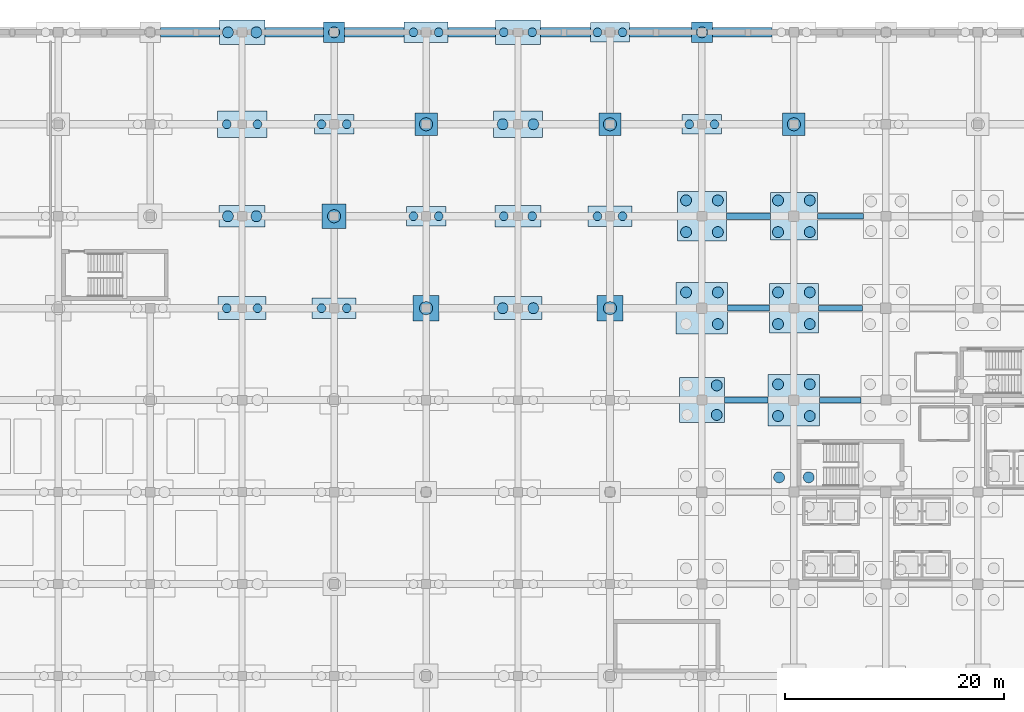
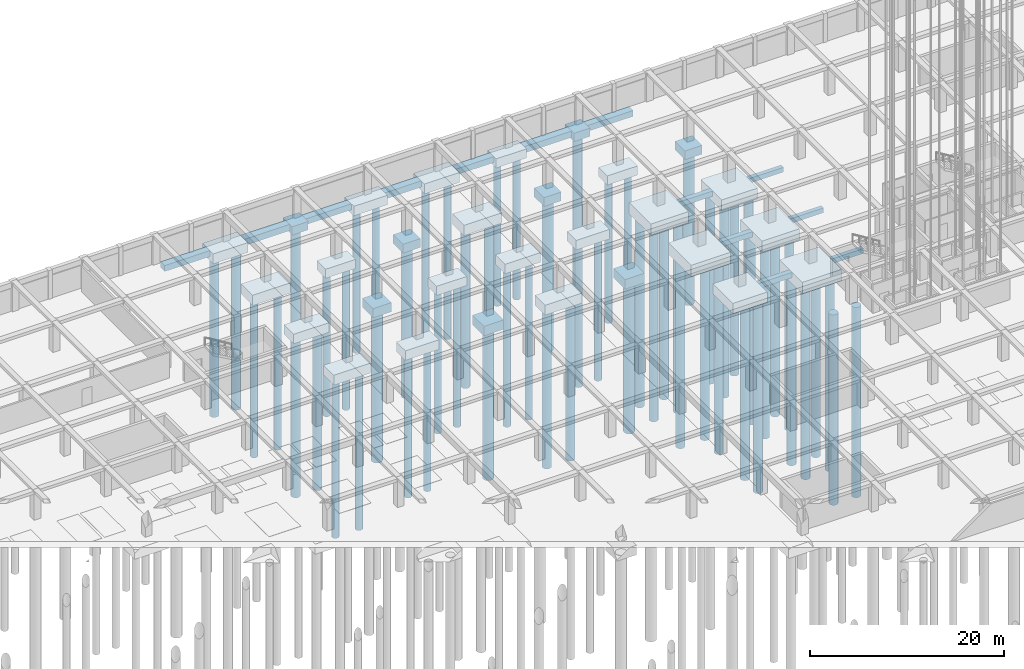
# One storey, part 5 of 47: 61 piles, 42 footings.
"""IFC4 building model written with IfcOpenShell, lengths in metres."""

from ifc_helpers import new_model, si_unit, direction, frame, origin, origin_2d, place, context, subcontext, project, spatial, rectangle, circle, extrude, material, layer, layer_set, material_profile, profile_set, type_object, element, save


model = new_model("IFC4")

# Units and contexts
model_context = context("Model", 3, precision=1e-05, world=origin(), true_north=direction((0.0, 1.0)))
body_context = subcontext(model_context, "Body", "Model", "MODEL_VIEW")
ifc_project = project(units=[si_unit("LENGTHUNIT", "METRE"), si_unit("AREAUNIT", "SQUARE_METRE"), si_unit("VOLUMEUNIT", "CUBIC_METRE"), si_unit("PLANEANGLEUNIT", "RADIAN"), si_unit("MASSUNIT", "GRAM", prefix="KILO")], contexts=[model_context])

# Site, building, storey
site_placement = place(None, origin())
site = spatial("IfcSite", under=ifc_project, at=site_placement, CompositionType="ELEMENT")
building_placement = place(site_placement, origin())
building = spatial("IfcBuilding", under=site, at=building_placement, Name="Almacenes y Pasaje Nevantli", CompositionType="ELEMENT")
storey_placement = place(building_placement, frame((0.0, 0.0, -8.10009765625)))
storey = spatial("IfcBuildingStorey", under=building, at=storey_placement, Name="B02", CompositionType="ELEMENT", Elevation=-8.10009765625)

# Footings
ifc_material_1 = material(Name="Concrete C45/55", Category="concrete")
ifc_layer_1 = layer(ifc_material_1, 0.64990234375)
ifc_layer_set_1 = layer_set([ifc_layer_1], Name="Concrete C45/55")
footing_type_1 = type_object("IfcFootingType", Name="FT-FB-01", PredefinedType="FOOTING_BEAM", material=ifc_layer_set_1)
footing_1_placement = place(storey_placement, frame((113.25, 84.0, -1.14990234375), z_axis=(0.0, 0.0, 1.0), x_axis=(1.0, 0.0, 0.0)))
element("IfcFooting", 1, at=footing_1_placement, inside=storey, type_object=footing_type_1, Name="Continuous Seismic Footing Tie Beam #13", PredefinedType="FOOTING_BEAM", context=body_context, shape_type="SweptSolid", body=[
    extrude(rectangle(XDim=4.0, YDim=0.550048828125, at=origin_2d()), origin(), (0.0, 0.0, 1.0), 0.64990234375),
])
footing_2_placement = place(storey_placement, frame((113.449951171875, 92.39990234375, -1.14990234375), z_axis=(0.0, 0.0, 1.0), x_axis=(1.0, 0.0, 0.0)))
element("IfcFooting", 2, at=footing_2_placement, inside=storey, type_object=footing_type_1, Name="Continuous Seismic Footing Tie Beam #19", PredefinedType="FOOTING_BEAM", context=body_context, shape_type="SweptSolid", body=[
    extrude(rectangle(XDim=3.800048828125, YDim=0.550048828125, at=origin_2d()), origin(), (0.0, 0.0, 1.0), 0.64990234375),
])
footing_3_placement = place(storey_placement, frame((113.449951171875, 100.800048828125, -1.14990234375), z_axis=(0.0, 0.0, 1.0), x_axis=(1.0, 0.0, 0.0)))
element("IfcFooting", 3, at=footing_3_placement, inside=storey, type_object=footing_type_1, Name="Continuous Seismic Footing Tie Beam #25", PredefinedType="FOOTING_BEAM", context=body_context, shape_type="SweptSolid", body=[
    extrude(rectangle(XDim=4.0, YDim=0.550048828125, at=origin_2d()), origin(), (0.0, 0.0, 1.0), 0.64990234375),
])
ifc_material_2 = material(Name="Concrete C45/55", Category="concrete")
ifc_layer_2 = layer(ifc_material_2, 0.60009765625)
ifc_layer_set_2 = layer_set([ifc_layer_2], Name="Concrete C45/55")
footing_type_2 = type_object("IfcFootingType", Name="FT-FB-02", PredefinedType="FOOTING_BEAM", material=ifc_layer_set_2)
footing_4_placement = place(storey_placement, frame((121.85009765625, 84.0, -1.099853515625), z_axis=(0.0, 0.0, 1.0), x_axis=(1.0, 0.0, 0.0)))
element("IfcFooting", 4, at=footing_4_placement, inside=storey, type_object=footing_type_2, Name="Continuous Seismic Footing Tie Beam #14", PredefinedType="FOOTING_BEAM", context=body_context, shape_type="SweptSolid", body=[
    extrude(rectangle(XDim=3.800048828125, YDim=0.5, at=origin_2d()), origin(), (0.0, 0.0, 1.0), 0.60009765625),
])
footing_5_placement = place(storey_placement, frame((121.85009765625, 92.39990234375, -1.099853515625), z_axis=(0.0, 0.0, 1.0), x_axis=(1.0, 0.0, 0.0)))
element("IfcFooting", 5, at=footing_5_placement, inside=storey, type_object=footing_type_2, Name="Continuous Seismic Footing Tie Beam #20", PredefinedType="FOOTING_BEAM", context=body_context, shape_type="SweptSolid", body=[
    extrude(rectangle(XDim=4.0, YDim=0.5, at=origin_2d()), origin(), (0.0, 0.0, 1.0), 0.60009765625),
])
footing_6_placement = place(storey_placement, frame((121.85009765625, 100.800048828125, -1.099853515625), z_axis=(0.0, 0.0, 1.0), x_axis=(1.0, 0.0, 0.0)))
element("IfcFooting", 6, at=footing_6_placement, inside=storey, type_object=footing_type_2, Name="Continuous Seismic Footing Tie Beam #26", PredefinedType="FOOTING_BEAM", context=body_context, shape_type="SweptSolid", body=[
    extrude(rectangle(XDim=4.199951171875, YDim=0.5, at=origin_2d()), origin(), (0.0, 0.0, 1.0), 0.60009765625),
])
ifc_material_3 = material(Name="Concrete C45/55", Category="concrete")
ifc_layer_3 = layer(ifc_material_3, 1.449951171875)
ifc_layer_set_3 = layer_set([ifc_layer_3], Name="Concrete C45/55")
footing_type_3 = type_object("IfcFootingType", Name="FT-PC-01", PredefinedType="PILE_CAP", material=ifc_layer_set_3)
for number, where, z_axis, x_axis, name in (
    (7, (109.199951171875, 92.39990234375, -1.94970703125), (0.0, 0.0, 1.0), (1.0, 0.0, 0.0), "Reinforced Concrete Pile Cap PC-01 #199"),
    (8, (117.60009765625, 84.0, -1.94970703125), (0.0, 0.0, 1.0), (1.0, 0.0, 0.0), "Reinforced Concrete Pile Cap PC-01 #213"),
):
    element("IfcFooting", number, at=place(storey_placement, frame(where, z_axis=z_axis, x_axis=x_axis)), inside=storey, type_object=footing_type_3, Name=name, PredefinedType="PILE_CAP", context=body_context, shape_type="SweptSolid", body=[
        extrude(rectangle(XDim=4.699951171875, YDim=4.699951171875, at=origin_2d()), origin(), (0.0, 0.0, 1.0), 1.449951171875),
    ])
ifc_material_4 = material(Name="Concrete C45/55", Category="concrete")
ifc_layer_4 = layer(ifc_material_4, 1.39990234375)
ifc_layer_set_4 = layer_set([ifc_layer_4], Name="Concrete C45/55")
footing_type_4 = type_object("IfcFootingType", Name="FT-PC-02", PredefinedType="PILE_CAP", material=ifc_layer_set_4)
for number, where, z_axis, x_axis, name in (
    (9, (109.199951171875, 100.800048828125, -1.89990234375), (0.0, 0.0, 1.0), (1.0, 0.0, 0.0), "Reinforced Concrete Pile Cap PC-02 #200"),
    (10, (117.60009765625, 92.39990234375, -1.89990234375), (0.0, 0.0, 1.0), (1.0, 0.0, 0.0), "Reinforced Concrete Pile Cap PC-02 #214"),
):
    element("IfcFooting", number, at=place(storey_placement, frame(where, z_axis=z_axis, x_axis=x_axis)), inside=storey, type_object=footing_type_4, Name=name, PredefinedType="PILE_CAP", context=body_context, shape_type="SweptSolid", body=[
        extrude(rectangle(XDim=4.5, YDim=4.5, at=origin_2d()), origin(), (0.0, 0.0, 1.0), 1.39990234375),
    ])
ifc_material_5 = material(Name="Concrete C45/55", Category="concrete")
ifc_layer_5 = layer(ifc_material_5, 1.35009765625)
ifc_layer_set_5 = layer_set([ifc_layer_5], Name="Concrete C45/55")
footing_type_5 = type_object("IfcFootingType", Name="FT-PC-03", PredefinedType="PILE_CAP", material=ifc_layer_set_5)
footing_7_placement = place(storey_placement, frame((117.60009765625, 100.800048828125, -1.849853515625), z_axis=(0.0, 0.0, 1.0), x_axis=(1.0, 0.0, 0.0)))
element("IfcFooting", 11, at=footing_7_placement, inside=storey, type_object=footing_type_5, Name="Reinforced Concrete Pile Cap PC-03 #215", PredefinedType="PILE_CAP", context=body_context, shape_type="SweptSolid", body=[
    extrude(rectangle(XDim=4.300048828125, YDim=4.300048828125, at=origin_2d()), origin(), (0.0, 0.0, 1.0), 1.35009765625),
])
ifc_material_6 = material(Name="Concrete C45/55", Category="concrete")
ifc_layer_6 = layer(ifc_material_6, 1.300048828125)
ifc_layer_set_6 = layer_set([ifc_layer_6], Name="Concrete C45/55")
footing_type_6 = type_object("IfcFootingType", Name="FT-PC-04", PredefinedType="PILE_CAP", material=ifc_layer_set_6)
footing_8_placement = place(storey_placement, frame((109.199951171875, 84.0, -1.7998046875), z_axis=(0.0, 0.0, 1.0), x_axis=(1.0, 0.0, 0.0)))
element("IfcFooting", 12, at=footing_8_placement, inside=storey, type_object=footing_type_6, Name="Reinforced Concrete Pile Cap PC-04 #198", PredefinedType="PILE_CAP", context=body_context, shape_type="SweptSolid", body=[
    extrude(rectangle(XDim=4.10009765625, YDim=4.10009765625, at=origin_2d()), origin(), (0.0, 0.0, 1.0), 1.300048828125),
])
ifc_material_7 = material(Name="Concrete C45/55", Category="concrete")
ifc_layer_7 = layer(ifc_material_7, 1.25)
ifc_layer_set_7 = layer_set([ifc_layer_7], Name="Concrete C45/55")
footing_type_7 = type_object("IfcFootingType", Name="FT-PC-07", PredefinedType="PILE_CAP", material=ifc_layer_set_7)
for number, where, z_axis, x_axis, name in (
    (13, (67.199951171875, 92.39990234375, -1.75), (0.0, 0.0, 1.0), (1.0, 0.0, 0.0), "Reinforced Concrete Pile Cap PC-07 #124"),
    (14, (92.39990234375, 92.39990234375, -1.75), (0.0, 0.0, 1.0), (1.0, 0.0, 0.0), "Reinforced Concrete Pile Cap PC-07 #169"),
):
    element("IfcFooting", number, at=place(storey_placement, frame(where, z_axis=z_axis, x_axis=x_axis)), inside=storey, type_object=footing_type_7, Name=name, PredefinedType="PILE_CAP", context=body_context, shape_type="SweptSolid", body=[
        extrude(rectangle(XDim=4.39990234375, YDim=2.10009765625, at=origin_2d()), origin(), (0.0, 0.0, 1.0), 1.25),
    ])
ifc_material_8 = material(Name="Concrete C45/55", Category="concrete")
ifc_layer_8 = layer(ifc_material_8, 1.199951171875)
ifc_layer_set_8 = layer_set([ifc_layer_8], Name="Concrete C45/55")
footing_type_8 = type_object("IfcFootingType", Name="FT-PC-08", PredefinedType="PILE_CAP", material=ifc_layer_set_8)
for number, where, z_axis, x_axis, name in (
    (15, (67.199951171875, 100.800048828125, -1.69970703125), (0.0, 0.0, 1.0), (1.0, 0.0, 0.0), "Reinforced Concrete Pile Cap PC-08 #125"),
    (16, (92.39990234375, 100.800048828125, -1.69970703125), (0.0, 0.0, 1.0), (1.0, 0.0, 0.0), "Reinforced Concrete Pile Cap PC-08 #170"),
):
    element("IfcFooting", number, at=place(storey_placement, frame(where, z_axis=z_axis, x_axis=x_axis)), inside=storey, type_object=footing_type_8, Name=name, PredefinedType="PILE_CAP", context=body_context, shape_type="SweptSolid", body=[
        extrude(rectangle(XDim=4.199951171875, YDim=2.0, at=origin_2d()), origin(), (0.0, 0.0, 1.0), 1.199951171875),
    ])
ifc_material_9 = material(Name="Concrete C45/55", Category="concrete")
ifc_layer_9 = layer(ifc_material_9, 1.199951171875)
ifc_layer_set_9 = layer_set([ifc_layer_9], Name="Concrete C45/55")
footing_type_9 = type_object("IfcFootingType", Name="FT-PC-09", PredefinedType="PILE_CAP", material=ifc_layer_set_9)
for number, where, z_axis, x_axis, name in (
    (17, (75.60009765625, 92.39990234375, -1.69970703125), (0.0, 0.0, 1.0), (1.0, 0.0, 0.0), "Reinforced Concrete Pile Cap PC-09 #139"),
    (18, (84.0, 117.60009765625, -1.69970703125), (0.0, 0.0, 1.0), (1.0, 0.0, 0.0), "Reinforced Concrete Pile Cap PC-09 #157"),
    (19, (100.800048828125, 100.800048828125, -1.69970703125), (0.0, 0.0, 1.0), (1.0, 0.0, 0.0), "Reinforced Concrete Pile Cap PC-09 #185"),
):
    element("IfcFooting", number, at=place(storey_placement, frame(where, z_axis=z_axis, x_axis=x_axis)), inside=storey, type_object=footing_type_9, Name=name, PredefinedType="PILE_CAP", context=body_context, shape_type="SweptSolid", body=[
        extrude(rectangle(XDim=4.0, YDim=1.89990234375, at=origin_2d()), origin(), (0.0, 0.0, 1.0), 1.199951171875),
    ])
ifc_material_10 = material(Name="Concrete C45/55", Category="concrete")
ifc_layer_10 = layer(ifc_material_10, 1.14990234375)
ifc_layer_set_10 = layer_set([ifc_layer_10], Name="Concrete C45/55")
footing_type_10 = type_object("IfcFootingType", Name="FT-PC-11", PredefinedType="PILE_CAP", material=ifc_layer_set_10)
for number, where, z_axis, x_axis, name in (
    (20, (75.60009765625, 109.199951171875, -1.64990234375), (0.0, 0.0, 1.0), (1.0, 0.0, 0.0), "Reinforced Concrete Pile Cap PC-11 #141"),
    (21, (84.0, 100.800048828125, -1.64990234375), (0.0, 0.0, 1.0), (1.0, 0.0, 0.0), "Reinforced Concrete Pile Cap PC-11 #155"),
    (22, (100.800048828125, 117.60009765625, -1.64990234375), (0.0, 0.0, 1.0), (1.0, 0.0, 0.0), "Reinforced Concrete Pile Cap PC-11 #187"),
    (23, (109.199951171875, 109.199951171875, -1.64990234375), (0.0, 0.0, 1.0), (1.0, 0.0, 0.0), "Reinforced Concrete Pile Cap PC-11 #201"),
):
    element("IfcFooting", number, at=place(storey_placement, frame(where, z_axis=z_axis, x_axis=x_axis)), inside=storey, type_object=footing_type_10, Name=name, PredefinedType="PILE_CAP", context=body_context, shape_type="SweptSolid", body=[
        extrude(rectangle(XDim=3.60009765625, YDim=1.800048828125, at=origin_2d()), origin(), (0.0, 0.0, 1.0), 1.14990234375),
    ])
ifc_material_11 = material(Name="Concrete C45/55", Category="concrete")
ifc_layer_11 = layer(ifc_material_11, 1.199951171875)
ifc_layer_set_11 = layer_set([ifc_layer_11], Name="Concrete C45/55")
footing_type_11 = type_object("IfcFootingType", Name="FT-PC-16", PredefinedType="PILE_CAP", material=ifc_layer_set_11)
for number, where, z_axis, x_axis, name in (
    (24, (84.0, 92.39990234375, -1.69970703125), (0.0, 0.0, 1.0), (1.0, 0.0, 0.0), "Reinforced Concrete Pile Cap PC-16 #154"),
    (25, (100.800048828125, 92.39990234375, -1.69970703125), (0.0, 0.0, 1.0), (1.0, 0.0, 0.0), "Reinforced Concrete Pile Cap PC-16 #184"),
):
    element("IfcFooting", number, at=place(storey_placement, frame(where, z_axis=z_axis, x_axis=x_axis)), inside=storey, type_object=footing_type_11, Name=name, PredefinedType="PILE_CAP", context=body_context, shape_type="SweptSolid", body=[
        extrude(rectangle(XDim=2.35009765625, YDim=2.35009765625, at=origin_2d()), origin(), (0.0, 0.0, 1.0), 1.199951171875),
    ])
ifc_material_12 = material(Name="Concrete C45/55", Category="concrete")
ifc_layer_12 = layer(ifc_material_12, 1.14990234375)
ifc_layer_set_12 = layer_set([ifc_layer_12], Name="Concrete C45/55")
footing_type_12 = type_object("IfcFootingType", Name="FT-PC-17", PredefinedType="PILE_CAP", material=ifc_layer_set_12)
footing_9_placement = place(storey_placement, frame((75.60009765625, 100.800048828125, -1.64990234375), z_axis=(0.0, 0.0, 1.0), x_axis=(1.0, 0.0, 0.0)))
element("IfcFooting", 26, at=footing_9_placement, inside=storey, type_object=footing_type_12, Name="Reinforced Concrete Pile Cap PC-17 #140", PredefinedType="PILE_CAP", context=body_context, shape_type="SweptSolid", body=[
    extrude(rectangle(XDim=2.199951171875, YDim=2.199951171875, at=origin_2d()), origin(), (0.0, 0.0, 1.0), 1.14990234375),
])
ifc_material_13 = material(Name="Concrete C45/55", Category="concrete")
ifc_layer_13 = layer(ifc_material_13, 1.10009765625)
ifc_layer_set_13 = layer_set([ifc_layer_13], Name="Concrete C45/55")
footing_type_13 = type_object("IfcFootingType", Name="FT-PC-18", PredefinedType="PILE_CAP", material=ifc_layer_set_13)
for number, where, z_axis, x_axis, name in (
    (27, (84.0, 109.199951171875, -1.599853515625), (0.0, 0.0, 1.0), (1.0, 0.0, 0.0), "Reinforced Concrete Pile Cap PC-18 #156"),
    (28, (100.800048828125, 109.199951171875, -1.599853515625), (0.0, 0.0, 1.0), (1.0, 0.0, 0.0), "Reinforced Concrete Pile Cap PC-18 #186"),
    (29, (117.60009765625, 109.199951171875, -1.599853515625), (0.0, 0.0, 1.0), (1.0, 0.0, 0.0), "Reinforced Concrete Pile Cap PC-18 #216"),
):
    element("IfcFooting", number, at=place(storey_placement, frame(where, z_axis=z_axis, x_axis=x_axis)), inside=storey, type_object=footing_type_13, Name=name, PredefinedType="PILE_CAP", context=body_context, shape_type="SweptSolid", body=[
        extrude(rectangle(XDim=2.050048828125, YDim=2.050048828125, at=origin_2d()), origin(), (0.0, 0.0, 1.0), 1.10009765625),
    ])
ifc_material_14 = material(Name="Concrete C45/55", Category="concrete")
ifc_layer_14 = layer(ifc_material_14, 1.050048828125)
ifc_layer_set_14 = layer_set([ifc_layer_14], Name="Concrete C45/55")
footing_type_14 = type_object("IfcFootingType", Name="FT-PC-19", PredefinedType="PILE_CAP", material=ifc_layer_set_14)
for number, where, z_axis, x_axis, name in (
    (30, (75.60009765625, 117.60009765625, -1.5498046875), (0.0, 0.0, 1.0), (1.0, 0.0, 0.0), "Reinforced Concrete Pile Cap PC-19 #142"),
    (31, (109.199951171875, 117.60009765625, -1.5498046875), (0.0, 0.0, 1.0), (1.0, 0.0, 0.0), "Reinforced Concrete Pile Cap PC-19 #202"),
):
    element("IfcFooting", number, at=place(storey_placement, frame(where, z_axis=z_axis, x_axis=x_axis)), inside=storey, type_object=footing_type_14, Name=name, PredefinedType="PILE_CAP", context=body_context, shape_type="SweptSolid", body=[
        extrude(rectangle(XDim=1.89990234375, YDim=1.89990234375, at=origin_2d()), origin(), (0.0, 0.0, 1.0), 1.050048828125),
    ])
ifc_material_15 = material(Name="Concrete C45/55", Category="concrete")
ifc_layer_15 = layer(ifc_material_15, 1.300048828125)
ifc_layer_set_15 = layer_set([ifc_layer_15], Name="Concrete C45/55")
footing_type_15 = type_object("IfcFootingType", Name="FT-PC-20", PredefinedType="PILE_CAP", material=ifc_layer_set_15)
for number, where, z_axis, x_axis, name in (
    (32, (67.199951171875, 109.199951171875, -1.7998046875), (0.0, 0.0, 1.0), (1.0, 0.0, 0.0), "Reinforced Concrete Pile Cap PC-20 #126"),
    (33, (92.39990234375, 109.199951171875, -1.7998046875), (0.0, 0.0, 1.0), (1.0, 0.0, 0.0), "Reinforced Concrete Pile Cap PC-20 #171"),
):
    element("IfcFooting", number, at=place(storey_placement, frame(where, z_axis=z_axis, x_axis=x_axis)), inside=storey, type_object=footing_type_15, Name=name, PredefinedType="PILE_CAP", context=body_context, shape_type="SweptSolid", body=[
        extrude(rectangle(XDim=4.5, YDim=2.39990234375, at=origin_2d()), origin(), (0.0, 0.0, 1.0), 1.300048828125),
    ])
ifc_material_16 = material(Name="Concrete C45/55", Category="concrete")
ifc_layer_16 = layer(ifc_material_16, 1.25)
ifc_layer_set_16 = layer_set([ifc_layer_16], Name="Concrete C45/55")
footing_type_16 = type_object("IfcFootingType", Name="FT-PC-21", PredefinedType="PILE_CAP", material=ifc_layer_set_16)
for number, where, z_axis, x_axis, name in (
    (34, (67.199951171875, 117.60009765625, -1.75), (0.0, 0.0, 1.0), (1.0, 0.0, 0.0), "Reinforced Concrete Pile Cap PC-21 #127"),
    (35, (92.39990234375, 117.60009765625, -1.75), (0.0, 0.0, 1.0), (1.0, 0.0, 0.0), "Reinforced Concrete Pile Cap PC-21 #172"),
):
    element("IfcFooting", number, at=place(storey_placement, frame(where, z_axis=z_axis, x_axis=x_axis)), inside=storey, type_object=footing_type_16, Name=name, PredefinedType="PILE_CAP", context=body_context, shape_type="SweptSolid", body=[
        extrude(rectangle(XDim=4.14990234375, YDim=2.25, at=origin_2d()), origin(), (0.0, 0.0, 1.0), 1.25),
    ])
ifc_material_17 = material(Name="Concrete C45/55", Category="concrete")
ifc_layer_17 = layer(ifc_material_17, 0.800048828125)
ifc_layer_set_17 = layer_set([ifc_layer_17], Name="Concrete C45/55")
footing_type_17 = type_object("IfcFootingType", Name="FT-SF-01", PredefinedType="STRIP_FOOTING", material=ifc_layer_set_17)
footing_10_placement = place(storey_placement, frame((71.96240234375, 117.60009765625, -1.2998046875), z_axis=(0.0, 0.0, 1.0), x_axis=(1.0, 0.0, 0.0)))
element("IfcFooting", 36, at=footing_10_placement, inside=storey, type_object=footing_type_17, Name="Continuous Perimeter Strip Footing #9", PredefinedType="STRIP_FOOTING", context=body_context, shape_type="SweptSolid", body=[
    extrude(rectangle(XDim=5.375, YDim=0.89990234375, at=origin_2d()), origin(), (0.0, 0.0, 1.0), 0.800048828125),
])
footing_11_placement = place(storey_placement, frame((88.16259765625, 117.60009765625, -1.2998046875), z_axis=(0.0, 0.0, 1.0), x_axis=(1.0, 0.0, 0.0)))
element("IfcFooting", 37, at=footing_11_placement, inside=storey, type_object=footing_type_17, Name="Continuous Perimeter Strip Footing #11", PredefinedType="STRIP_FOOTING", context=body_context, shape_type="SweptSolid", body=[
    extrude(rectangle(XDim=4.324951171875, YDim=0.89990234375, at=origin_2d()), origin(), (0.0, 0.0, 1.0), 0.800048828125),
])
footing_12_placement = place(storey_placement, frame((105.425048828125, 117.60009765625, -1.2998046875), z_axis=(0.0, 0.0, 1.0), x_axis=(1.0, 0.0, 0.0)))
element("IfcFooting", 38, at=footing_12_placement, inside=storey, type_object=footing_type_17, Name="Continuous Perimeter Strip Footing #13", PredefinedType="STRIP_FOOTING", context=body_context, shape_type="SweptSolid", body=[
    extrude(rectangle(XDim=5.64990234375, YDim=0.89990234375, at=origin_2d()), origin(), (0.0, 0.0, 1.0), 0.800048828125),
])
ifc_material_18 = material(Name="Concrete C45/55", Category="concrete")
ifc_layer_18 = layer(ifc_material_18, 0.75)
ifc_layer_set_18 = layer_set([ifc_layer_18], Name="Concrete C45/55")
footing_type_18 = type_object("IfcFootingType", Name="FT-SF-02", PredefinedType="STRIP_FOOTING", material=ifc_layer_set_18)
footing_13_placement = place(storey_placement, frame((62.4375, 117.60009765625, -1.25), z_axis=(0.0, 0.0, 1.0), x_axis=(1.0, 0.0, 0.0)))
element("IfcFooting", 39, at=footing_13_placement, inside=storey, type_object=footing_type_18, Name="Continuous Perimeter Strip Footing #8", PredefinedType="STRIP_FOOTING", context=body_context, shape_type="SweptSolid", body=[
    extrude(rectangle(XDim=5.375, YDim=0.85009765625, at=origin_2d()), origin(), (0.0, 0.0, 1.0), 0.75),
])
footing_14_placement = place(storey_placement, frame((79.27490234375, 117.60009765625, -1.25), z_axis=(0.0, 0.0, 1.0), x_axis=(1.0, 0.0, 0.0)))
element("IfcFooting", 40, at=footing_14_placement, inside=storey, type_object=footing_type_18, Name="Continuous Perimeter Strip Footing #10", PredefinedType="STRIP_FOOTING", context=body_context, shape_type="SweptSolid", body=[
    extrude(rectangle(XDim=5.449951171875, YDim=0.85009765625, at=origin_2d()), origin(), (0.0, 0.0, 1.0), 0.75),
])
footing_15_placement = place(storey_placement, frame((96.737548828125, 117.60009765625, -1.25), z_axis=(0.0, 0.0, 1.0), x_axis=(1.0, 0.0, 0.0)))
element("IfcFooting", 41, at=footing_15_placement, inside=storey, type_object=footing_type_18, Name="Continuous Perimeter Strip Footing #12", PredefinedType="STRIP_FOOTING", context=body_context, shape_type="SweptSolid", body=[
    extrude(rectangle(XDim=4.52490234375, YDim=0.85009765625, at=origin_2d()), origin(), (0.0, 0.0, 1.0), 0.75),
])
footing_16_placement = place(storey_placement, frame((112.875, 117.60009765625, -1.25), z_axis=(0.0, 0.0, 1.0), x_axis=(1.0, 0.0, 0.0)))
element("IfcFooting", 42, at=footing_16_placement, inside=storey, type_object=footing_type_18, Name="Continuous Perimeter Strip Footing #14", PredefinedType="STRIP_FOOTING", context=body_context, shape_type="SweptSolid", body=[
    extrude(rectangle(XDim=5.449951171875, YDim=0.85009765625, at=origin_2d()), origin(), (0.0, 0.0, 1.0), 0.75),
])

# Piles
ifc_material_19 = material(Name="Concrete C45/55", Category="concrete")
ifc_material_profile_1 = material_profile(ifc_material_19, circle(Radius=0.5, at=origin_2d()), Name="RC-PILE-D1000")
ifc_profile_set_1 = profile_set([ifc_material_profile_1], Name="Concrete C45/55")
pile_type_1 = type_object("IfcPileType", Name="PL-BORED-1000", PredefinedType="BORED", material=ifc_profile_set_1)
for number, where, z_axis, x_axis, name in (
    (43, (65.89990234375, 100.800048828125, -1.64990234375), (0.0, 0.0, -1.0), (1.0, 0.0, 0.0), "Bored Pile PL-1000 #203"),
    (44, (68.5, 100.800048828125, -1.64990234375), (0.0, 0.0, -1.0), (1.0, 0.0, 0.0), "Bored Pile PL-1000 #204"),
    (45, (65.89990234375, 117.60009765625, -1.699951171875), (0.0, 0.0, -1.0), (1.0, 0.0, 0.0), "Bored Pile PL-1000 #207"),
    (46, (68.5, 117.60009765625, -1.699951171875), (0.0, 0.0, -1.0), (1.0, 0.0, 0.0), "Bored Pile PL-1000 #208"),
):
    element("IfcPile", number, at=place(storey_placement, frame(where, z_axis=z_axis, x_axis=x_axis)), inside=storey, type_object=pile_type_1, Name=name, PredefinedType="BORED", context=body_context, shape_type="SweptSolid", body=[
        extrude(circle(Radius=0.5, at=origin_2d()), origin(), (0.0, 0.0, 1.0), 20.0),
    ])
pile_1_placement = place(storey_placement, frame((75.60009765625, 117.60009765625, -1.5), z_axis=(0.0, 0.0, -1.0), x_axis=(1.0, 0.0, 0.0)))
element("IfcPile", 47, at=pile_1_placement, inside=storey, type_object=pile_type_1, Name="Bored Pile PL-1000 #230", PredefinedType="BORED", context=body_context, shape_type="SweptSolid", body=[
    extrude(circle(Radius=0.5, at=origin_2d()), origin(), (0.0, 0.0, 1.0), 19.0),
])
for number, where, z_axis, x_axis, name in (
    (48, (91.0, 92.39990234375, -1.699951171875), (0.0, 0.0, -1.0), (1.0, 0.0, 0.0), "Bored Pile PL-1000 #276"),
    (49, (93.800048828125, 92.39990234375, -1.699951171875), (0.0, 0.0, -1.0), (1.0, 0.0, 0.0), "Bored Pile PL-1000 #277"),
    (50, (91.0, 109.199951171875, -1.75), (0.0, 0.0, -1.0), (1.0, 0.0, 0.0), "Bored Pile PL-1000 #280"),
    (51, (93.800048828125, 109.199951171875, -1.75), (0.0, 0.0, -1.0), (1.0, 0.0, 0.0), "Bored Pile PL-1000 #281"),
):
    element("IfcPile", number, at=place(storey_placement, frame(where, z_axis=z_axis, x_axis=x_axis)), inside=storey, type_object=pile_type_1, Name=name, PredefinedType="BORED", context=body_context, shape_type="SweptSolid", body=[
        extrude(circle(Radius=0.5, at=origin_2d()), origin(), (0.0, 0.0, 1.0), 20.0),
    ])
for number, where, z_axis, x_axis, name in (
    (52, (110.550048828125, 82.64990234375, -1.75), (0.0, 0.0, -1.0), (1.0, 0.0, 0.0), "Bored Pile PL-1000 #328"),
    (53, (110.550048828125, 85.35009765625, -1.75), (0.0, 0.0, -1.0), (1.0, 0.0, 0.0), "Bored Pile PL-1000 #330"),
    (54, (110.64990234375, 90.949951171875, -1.89990234375), (0.0, 0.0, -1.0), (1.0, 0.0, 0.0), "Bored Pile PL-1000 #332"),
    (55, (107.75, 93.85009765625, -1.89990234375), (0.0, 0.0, -1.0), (1.0, 0.0, 0.0), "Bored Pile PL-1000 #333"),
    (56, (110.64990234375, 93.85009765625, -1.89990234375), (0.0, 0.0, -1.0), (1.0, 0.0, 0.0), "Bored Pile PL-1000 #334"),
    (57, (107.75, 99.35009765625, -1.849853515625), (0.0, 0.0, -1.0), (1.0, 0.0, 0.0), "Bored Pile PL-1000 #335"),
    (58, (110.64990234375, 99.35009765625, -1.849853515625), (0.0, 0.0, -1.0), (1.0, 0.0, 0.0), "Bored Pile PL-1000 #336"),
    (59, (107.75, 102.25, -1.849853515625), (0.0, 0.0, -1.0), (1.0, 0.0, 0.0), "Bored Pile PL-1000 #337"),
    (60, (110.64990234375, 102.25, -1.849853515625), (0.0, 0.0, -1.0), (1.0, 0.0, 0.0), "Bored Pile PL-1000 #338"),
):
    element("IfcPile", number, at=place(storey_placement, frame(where, z_axis=z_axis, x_axis=x_axis)), inside=storey, type_object=pile_type_1, Name=name, PredefinedType="BORED", context=body_context, shape_type="SweptSolid", body=[
        extrude(circle(Radius=0.5, at=origin_2d()), origin(), (0.0, 0.0, 1.0), 24.0),
    ])
pile_2_placement = place(storey_placement, frame((109.199951171875, 117.60009765625, -1.5), z_axis=(0.0, 0.0, -1.0), x_axis=(1.0, 0.0, 0.0)))
element("IfcPile", 61, at=pile_2_placement, inside=storey, type_object=pile_type_1, Name="Bored Pile PL-1000 #341", PredefinedType="BORED", context=body_context, shape_type="SweptSolid", body=[
    extrude(circle(Radius=0.5, at=origin_2d()), origin(), (0.0, 0.0, 1.0), 19.0),
])
for number, where, z_axis, x_axis, name in (
    (62, (116.25, 76.949951171875, -1.75), (0.0, 0.0, -1.0), (1.0, 0.0, 0.0), "Bored Pile PL-1000 #360"),
    (63, (118.949951171875, 76.949951171875, -1.75), (0.0, 0.0, -1.0), (1.0, 0.0, 0.0), "Bored Pile PL-1000 #361"),
    (64, (116.14990234375, 82.550048828125, -1.89990234375), (0.0, 0.0, -1.0), (1.0, 0.0, 0.0), "Bored Pile PL-1000 #362"),
    (65, (119.050048828125, 82.550048828125, -1.89990234375), (0.0, 0.0, -1.0), (1.0, 0.0, 0.0), "Bored Pile PL-1000 #363"),
    (66, (116.14990234375, 85.449951171875, -1.89990234375), (0.0, 0.0, -1.0), (1.0, 0.0, 0.0), "Bored Pile PL-1000 #364"),
    (67, (119.050048828125, 85.449951171875, -1.89990234375), (0.0, 0.0, -1.0), (1.0, 0.0, 0.0), "Bored Pile PL-1000 #365"),
    (68, (116.14990234375, 90.949951171875, -1.849853515625), (0.0, 0.0, -1.0), (1.0, 0.0, 0.0), "Bored Pile PL-1000 #366"),
    (69, (119.050048828125, 90.949951171875, -1.849853515625), (0.0, 0.0, -1.0), (1.0, 0.0, 0.0), "Bored Pile PL-1000 #367"),
    (70, (116.14990234375, 93.85009765625, -1.849853515625), (0.0, 0.0, -1.0), (1.0, 0.0, 0.0), "Bored Pile PL-1000 #368"),
    (71, (119.050048828125, 93.85009765625, -1.849853515625), (0.0, 0.0, -1.0), (1.0, 0.0, 0.0), "Bored Pile PL-1000 #369"),
    (72, (116.14990234375, 99.35009765625, -1.7998046875), (0.0, 0.0, -1.0), (1.0, 0.0, 0.0), "Bored Pile PL-1000 #370"),
    (73, (119.050048828125, 99.35009765625, -1.7998046875), (0.0, 0.0, -1.0), (1.0, 0.0, 0.0), "Bored Pile PL-1000 #371"),
    (74, (116.14990234375, 102.25, -1.7998046875), (0.0, 0.0, -1.0), (1.0, 0.0, 0.0), "Bored Pile PL-1000 #372"),
    (75, (119.050048828125, 102.25, -1.7998046875), (0.0, 0.0, -1.0), (1.0, 0.0, 0.0), "Bored Pile PL-1000 #373"),
):
    element("IfcPile", number, at=place(storey_placement, frame(where, z_axis=z_axis, x_axis=x_axis)), inside=storey, type_object=pile_type_1, Name=name, PredefinedType="BORED", context=body_context, shape_type="SweptSolid", body=[
        extrude(circle(Radius=0.5, at=origin_2d()), origin(), (0.0, 0.0, 1.0), 24.0),
    ])
ifc_material_20 = material(Name="Concrete C45/55", Category="concrete")
ifc_material_profile_2 = material_profile(ifc_material_20, circle(Radius=0.60009765625, at=origin_2d()), Name="RC-PILE-D1200")
ifc_profile_set_2 = profile_set([ifc_material_profile_2], Name="Concrete C45/55")
pile_type_2 = type_object("IfcPileType", Name="PL-BORED-1200", PredefinedType="BORED", material=ifc_profile_set_2)
for number, where, z_axis, x_axis, name in (
    (76, (75.60009765625, 100.800048828125, -1.599853515625), (0.0, 0.0, -1.0), (1.0, 0.0, 0.0), "Bored Pile PL-1200 #227"),
    (77, (84.0, 92.39990234375, -1.64990234375), (0.0, 0.0, -1.0), (1.0, 0.0, 0.0), "Bored Pile PL-1200 #248"),
    (78, (84.0, 109.199951171875, -1.5498046875), (0.0, 0.0, -1.0), (1.0, 0.0, 0.0), "Bored Pile PL-1200 #251"),
    (79, (100.800048828125, 92.39990234375, -1.64990234375), (0.0, 0.0, -1.0), (1.0, 0.0, 0.0), "Bored Pile PL-1200 #301"),
    (80, (100.800048828125, 109.199951171875, -1.5498046875), (0.0, 0.0, -1.0), (1.0, 0.0, 0.0), "Bored Pile PL-1200 #304"),
    (81, (117.60009765625, 109.199951171875, -1.5498046875), (0.0, 0.0, -1.0), (1.0, 0.0, 0.0), "Bored Pile PL-1200 #374"),
):
    element("IfcPile", number, at=place(storey_placement, frame(where, z_axis=z_axis, x_axis=x_axis)), inside=storey, type_object=pile_type_2, Name=name, PredefinedType="BORED", context=body_context, shape_type="SweptSolid", body=[
        extrude(circle(Radius=0.60009765625, at=origin_2d()), origin(), (0.0, 0.0, 1.0), 19.0),
    ])
ifc_material_21 = material(Name="Concrete C45/55", Category="concrete")
ifc_material_profile_3 = material_profile(ifc_material_21, circle(Radius=0.39990234375, at=origin_2d()), Name="RC-PILE-D800")
ifc_profile_set_3 = profile_set([ifc_material_profile_3], Name="Concrete C45/55")
pile_type_3 = type_object("IfcPileType", Name="PL-BORED-800", PredefinedType="BORED", material=ifc_profile_set_3)
for number, where, z_axis, x_axis, name in (
    (82, (65.800048828125, 92.39990234375, -1.699951171875), (0.0, 0.0, -1.0), (1.0, 0.0, 0.0), "Bored Pile PL-800 #201"),
    (83, (68.60009765625, 92.39990234375, -1.699951171875), (0.0, 0.0, -1.0), (1.0, 0.0, 0.0), "Bored Pile PL-800 #202"),
    (84, (65.800048828125, 109.199951171875, -1.75), (0.0, 0.0, -1.0), (1.0, 0.0, 0.0), "Bored Pile PL-800 #205"),
    (85, (68.60009765625, 109.199951171875, -1.75), (0.0, 0.0, -1.0), (1.0, 0.0, 0.0), "Bored Pile PL-800 #206"),
):
    element("IfcPile", number, at=place(storey_placement, frame(where, z_axis=z_axis, x_axis=x_axis)), inside=storey, type_object=pile_type_3, Name=name, PredefinedType="BORED", context=body_context, shape_type="SweptSolid", body=[
        extrude(circle(Radius=0.39990234375, at=origin_2d()), origin(), (0.0, 0.0, 1.0), 20.0),
    ])
for number, where, z_axis, x_axis, name in (
    (86, (74.449951171875, 92.39990234375, -1.64990234375), (0.0, 0.0, -1.0), (1.0, 0.0, 0.0), "Bored Pile PL-800 #225"),
    (87, (76.75, 92.39990234375, -1.64990234375), (0.0, 0.0, -1.0), (1.0, 0.0, 0.0), "Bored Pile PL-800 #226"),
    (88, (74.449951171875, 109.199951171875, -1.599853515625), (0.0, 0.0, -1.0), (1.0, 0.0, 0.0), "Bored Pile PL-800 #228"),
    (89, (76.75, 109.199951171875, -1.599853515625), (0.0, 0.0, -1.0), (1.0, 0.0, 0.0), "Bored Pile PL-800 #229"),
    (90, (82.85009765625, 100.800048828125, -1.599853515625), (0.0, 0.0, -1.0), (1.0, 0.0, 0.0), "Bored Pile PL-800 #249"),
    (91, (85.14990234375, 100.800048828125, -1.599853515625), (0.0, 0.0, -1.0), (1.0, 0.0, 0.0), "Bored Pile PL-800 #250"),
    (92, (82.85009765625, 117.60009765625, -1.64990234375), (0.0, 0.0, -1.0), (1.0, 0.0, 0.0), "Bored Pile PL-800 #252"),
    (93, (85.14990234375, 117.60009765625, -1.64990234375), (0.0, 0.0, -1.0), (1.0, 0.0, 0.0), "Bored Pile PL-800 #253"),
):
    element("IfcPile", number, at=place(storey_placement, frame(where, z_axis=z_axis, x_axis=x_axis)), inside=storey, type_object=pile_type_3, Name=name, PredefinedType="BORED", context=body_context, shape_type="SweptSolid", body=[
        extrude(circle(Radius=0.39990234375, at=origin_2d()), origin(), (0.0, 0.0, 1.0), 18.0),
    ])
for number, where, z_axis, x_axis, name in (
    (94, (91.10009765625, 100.800048828125, -1.64990234375), (0.0, 0.0, -1.0), (1.0, 0.0, 0.0), "Bored Pile PL-800 #278"),
    (95, (93.699951171875, 100.800048828125, -1.64990234375), (0.0, 0.0, -1.0), (1.0, 0.0, 0.0), "Bored Pile PL-800 #279"),
    (96, (91.10009765625, 117.60009765625, -1.699951171875), (0.0, 0.0, -1.0), (1.0, 0.0, 0.0), "Bored Pile PL-800 #282"),
    (97, (93.699951171875, 117.60009765625, -1.699951171875), (0.0, 0.0, -1.0), (1.0, 0.0, 0.0), "Bored Pile PL-800 #283"),
):
    element("IfcPile", number, at=place(storey_placement, frame(where, z_axis=z_axis, x_axis=x_axis)), inside=storey, type_object=pile_type_3, Name=name, PredefinedType="BORED", context=body_context, shape_type="SweptSolid", body=[
        extrude(circle(Radius=0.39990234375, at=origin_2d()), origin(), (0.0, 0.0, 1.0), 20.0),
    ])
for number, where, z_axis, x_axis, name in (
    (98, (99.64990234375, 100.800048828125, -1.64990234375), (0.0, 0.0, -1.0), (1.0, 0.0, 0.0), "Bored Pile PL-800 #302"),
    (99, (101.949951171875, 100.800048828125, -1.64990234375), (0.0, 0.0, -1.0), (1.0, 0.0, 0.0), "Bored Pile PL-800 #303"),
    (100, (99.64990234375, 117.60009765625, -1.599853515625), (0.0, 0.0, -1.0), (1.0, 0.0, 0.0), "Bored Pile PL-800 #305"),
    (101, (101.949951171875, 117.60009765625, -1.599853515625), (0.0, 0.0, -1.0), (1.0, 0.0, 0.0), "Bored Pile PL-800 #306"),
    (102, (108.050048828125, 109.199951171875, -1.599853515625), (0.0, 0.0, -1.0), (1.0, 0.0, 0.0), "Bored Pile PL-800 #339"),
    (103, (110.35009765625, 109.199951171875, -1.599853515625), (0.0, 0.0, -1.0), (1.0, 0.0, 0.0), "Bored Pile PL-800 #340"),
):
    element("IfcPile", number, at=place(storey_placement, frame(where, z_axis=z_axis, x_axis=x_axis)), inside=storey, type_object=pile_type_3, Name=name, PredefinedType="BORED", context=body_context, shape_type="SweptSolid", body=[
        extrude(circle(Radius=0.39990234375, at=origin_2d()), origin(), (0.0, 0.0, 1.0), 18.0),
    ])

save(model, "model.ifc")
